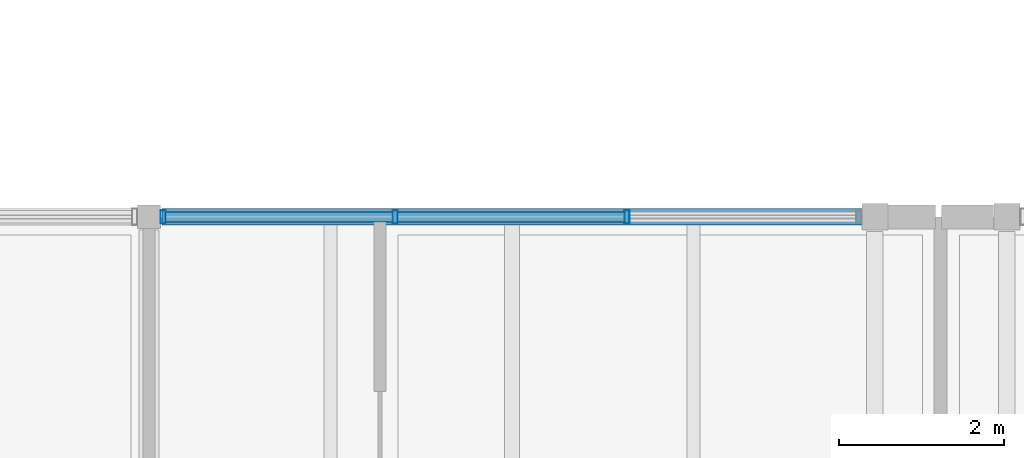
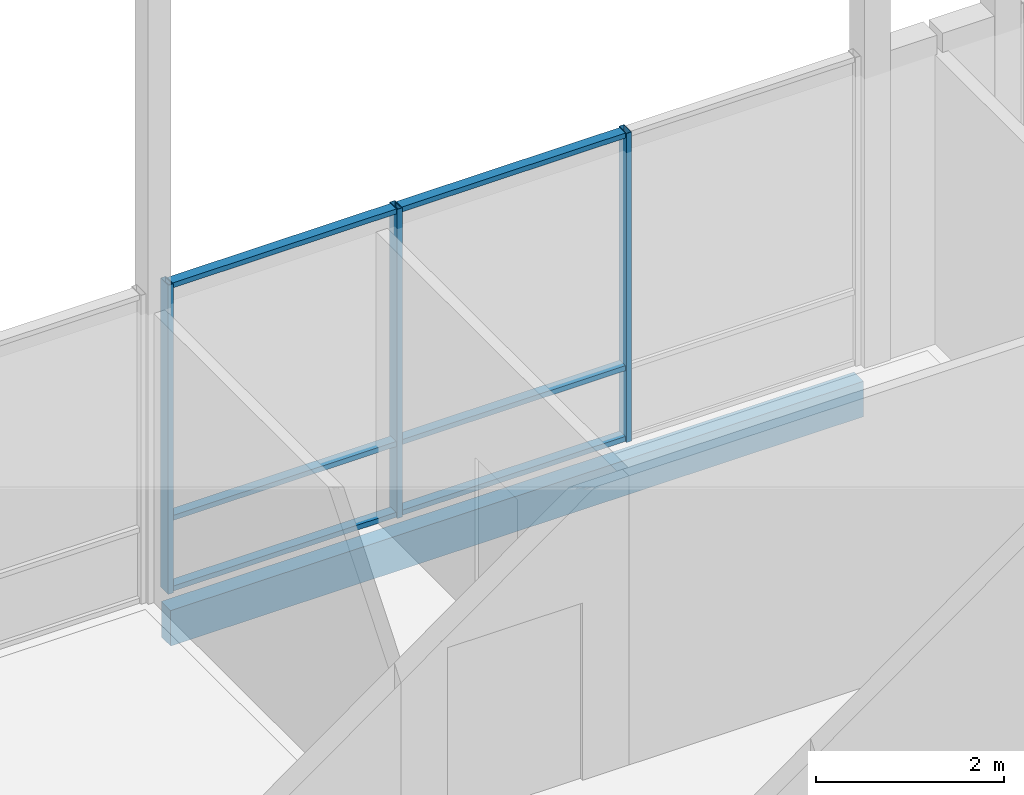
# One storey, part 10 of 57: 9 members, 1 beam, 1 element without a shape of its own.
"""IFC4 building model written with IfcOpenShell, lengths in metres."""

from ifc_helpers import new_model, si_unit, direction, frame, origin, origin_2d, place, context, subcontext, project, spatial, rectangle, hollow_rectangle, extrude, material, material_profile, profile_set, type_object, element, aggregate, save


model = new_model("IFC4")

# Units and contexts
model_context = context("Model", 3, precision=1e-05, world=origin(), true_north=direction((0.0, 1.0)))
body_context = subcontext(model_context, "Body", "Model", "MODEL_VIEW")
ifc_project = project(units=[si_unit("LENGTHUNIT", "METRE"), si_unit("AREAUNIT", "SQUARE_METRE"), si_unit("VOLUMEUNIT", "CUBIC_METRE"), si_unit("PLANEANGLEUNIT", "RADIAN"), si_unit("MASSUNIT", "GRAM", prefix="KILO")], contexts=[model_context])

# Site, building, storey
site_placement = place(None, origin())
site = spatial("IfcSite", under=ifc_project, at=site_placement, CompositionType="ELEMENT")
building_placement = place(site_placement, origin())
building = spatial("IfcBuilding", under=site, at=building_placement, Name="Hawrajan Terrace Health Centre", CompositionType="ELEMENT")
storey_placement = place(building_placement, frame((0.0, 0.0, 13.199951171875)))
storey = spatial("IfcBuildingStorey", under=building, at=storey_placement, Name="L03", CompositionType="ELEMENT", Elevation=13.199951171875)

# Curtain wall, members
ifc_material_1 = material(Name="Anodized bronze aluminium and low-E solar glazing", Category="aluminium")
curtain_wall_type = type_object("IfcCurtainWallType", Name="CW_Diagnostic_SeriesM2", PredefinedType="USERDEFINED", material=ifc_material_1)
curtain_wall_placement = place(storey_placement, origin())
curtain_wall = element("IfcCurtainWall", 1, at=curtain_wall_placement, inside=storey, type_object=curtain_wall_type, Name="Curtain wall CW-L03-168", ObjectType="UNITISED CURTAIN WALL", PredefinedType="USERDEFINED")
ifc_material_2 = material(Name="Anodized bronze aluminium 6063-T6", Category="aluminium")
ifc_material_profile_1 = material_profile(ifc_material_2, hollow_rectangle(XDim=0.06494140625, YDim=0.159912109375, WallThickness=0.00390625, at=origin_2d()), Name="CW MUL 65x160")
ifc_profile_set_1 = profile_set([ifc_material_profile_1], Name="Anodized bronze aluminium 6063-T6")
member_type_1 = type_object("IfcMemberType", Name="CWMullion_65x160", PredefinedType="MULLION", material=ifc_profile_set_1)
member_1_placement = place(storey_placement, frame((62.37255859375, 18.60009765625, -0.0048828125), z_axis=(0.0, 0.0, 1.0), x_axis=(1.0, 0.0, 0.0)))
member_1 = element("IfcMember", 2, at=member_1_placement, type_object=member_type_1, Name="Mullion CW-L03-168-M1", PredefinedType="MULLION", context=body_context, shape_type="SweptSolid", body=[
    extrude(hollow_rectangle(XDim=0.06494140625, YDim=0.159912109375, WallThickness=0.00390625, at=origin_2d()), origin(), (0.0, 0.0, 1.0), 4.010009765625),
])
member_2_placement = place(storey_placement, frame((65.18408203125, 18.60009765625, -0.0048828125), z_axis=(0.0, 0.0, 1.0), x_axis=(1.0, 0.0, 0.0)))
member_2 = element("IfcMember", 3, at=member_2_placement, type_object=member_type_1, Name="Mullion CW-L03-168-M2", PredefinedType="MULLION", context=body_context, shape_type="SweptSolid", body=[
    extrude(hollow_rectangle(XDim=0.06494140625, YDim=0.159912109375, WallThickness=0.00390625, at=origin_2d()), origin(), (0.0, 0.0, 1.0), 4.010009765625),
])
member_3_placement = place(storey_placement, frame((67.995849609375, 18.60009765625, -0.0048828125), z_axis=(0.0, 0.0, 1.0), x_axis=(1.0, 0.0, 0.0)))
member_3 = element("IfcMember", 4, at=member_3_placement, type_object=member_type_1, Name="Mullion CW-L03-168-M3", PredefinedType="MULLION", context=body_context, shape_type="SweptSolid", body=[
    extrude(hollow_rectangle(XDim=0.06494140625, YDim=0.159912109375, WallThickness=0.00390625, at=origin_2d()), origin(), (0.0, 0.0, 1.0), 4.010009765625),
])
ifc_material_profile_2 = material_profile(ifc_material_2, hollow_rectangle(XDim=0.06494140625, YDim=0.1201171875, WallThickness=0.00341796875, at=origin_2d()), Name="CW TRN 65x120")
ifc_profile_set_2 = profile_set([ifc_material_profile_2], Name="Anodized bronze aluminium 6063-T6")
member_type_2 = type_object("IfcMemberType", Name="CWTransom_65x120", PredefinedType="USERDEFINED", material=ifc_profile_set_2)
member_4_placement = place(storey_placement, frame((62.39892578125, 18.60009765625, 0.032470703125), z_axis=(1.0, 0.0, 0.0), x_axis=(0.0, 0.0, 1.0)))
member_4 = element("IfcMember", 5, at=member_4_placement, type_object=member_type_2, Name="Transom CW-L03-168-T1-1", ObjectType="TRANSOM", PredefinedType="USERDEFINED", context=body_context, shape_type="SweptSolid", body=[
    extrude(hollow_rectangle(XDim=0.06494140625, YDim=0.1201171875, WallThickness=0.00341796875, at=origin_2d()), origin(), (0.0, 0.0, 1.0), 2.7587890625),
])
member_5_placement = place(storey_placement, frame((62.39892578125, 18.60009765625, 0.949951171875), z_axis=(1.0, 0.0, 0.0), x_axis=(0.0, 0.0, 1.0)))
member_5 = element("IfcMember", 6, at=member_5_placement, type_object=member_type_2, Name="Transom CW-L03-168-T1-2", ObjectType="TRANSOM", PredefinedType="USERDEFINED", context=body_context, shape_type="SweptSolid", body=[
    extrude(hollow_rectangle(XDim=0.06494140625, YDim=0.1201171875, WallThickness=0.00341796875, at=origin_2d()), origin(), (0.0, 0.0, 1.0), 2.7587890625),
])
member_6_placement = place(storey_placement, frame((62.39892578125, 18.60009765625, 3.967529296875), z_axis=(1.0, 0.0, 0.0), x_axis=(0.0, 0.0, 1.0)))
member_6 = element("IfcMember", 7, at=member_6_placement, type_object=member_type_2, Name="Transom CW-L03-168-T1-3", ObjectType="TRANSOM", PredefinedType="USERDEFINED", context=body_context, shape_type="SweptSolid", body=[
    extrude(hollow_rectangle(XDim=0.06494140625, YDim=0.1201171875, WallThickness=0.00341796875, at=origin_2d()), origin(), (0.0, 0.0, 1.0), 2.7587890625),
])
member_7_placement = place(storey_placement, frame((65.210693359375, 18.60009765625, 0.032470703125), z_axis=(1.0, 0.0, 0.0), x_axis=(0.0, 0.0, 1.0)))
member_7 = element("IfcMember", 8, at=member_7_placement, type_object=member_type_2, Name="Transom CW-L03-168-T2-1", ObjectType="TRANSOM", PredefinedType="USERDEFINED", context=body_context, shape_type="SweptSolid", body=[
    extrude(hollow_rectangle(XDim=0.06494140625, YDim=0.1201171875, WallThickness=0.00341796875, at=origin_2d()), origin(), (0.0, 0.0, 1.0), 2.758544921875),
])
member_8_placement = place(storey_placement, frame((65.210693359375, 18.60009765625, 0.949951171875), z_axis=(1.0, 0.0, 0.0), x_axis=(0.0, 0.0, 1.0)))
member_8 = element("IfcMember", 9, at=member_8_placement, type_object=member_type_2, Name="Transom CW-L03-168-T2-2", ObjectType="TRANSOM", PredefinedType="USERDEFINED", context=body_context, shape_type="SweptSolid", body=[
    extrude(hollow_rectangle(XDim=0.06494140625, YDim=0.1201171875, WallThickness=0.00341796875, at=origin_2d()), origin(), (0.0, 0.0, 1.0), 2.758544921875),
])
member_9_placement = place(storey_placement, frame((65.210693359375, 18.60009765625, 3.967529296875), z_axis=(1.0, 0.0, 0.0), x_axis=(0.0, 0.0, 1.0)))
member_9 = element("IfcMember", 10, at=member_9_placement, type_object=member_type_2, Name="Transom CW-L03-168-T2-3", ObjectType="TRANSOM", PredefinedType="USERDEFINED", context=body_context, shape_type="SweptSolid", body=[
    extrude(hollow_rectangle(XDim=0.06494140625, YDim=0.1201171875, WallThickness=0.00341796875, at=origin_2d()), origin(), (0.0, 0.0, 1.0), 2.758544921875),
])
aggregate(curtain_wall, [member_1, member_2, member_3, member_4, member_5, member_6, member_7, member_8, member_9])

# Beam
ifc_material_3 = material(Name="Glulam GL32h", Category="wood")
ifc_material_profile_3 = material_profile(ifc_material_3, rectangle(XDim=0.199951171875, YDim=0.4599609375, at=origin_2d()), Name="GL SP 200x460")
ifc_profile_set_3 = profile_set([ifc_material_profile_3], Name="Glulam GL32h")
beam_type = type_object("IfcBeamType", Name="GlulamSpandrel_200x460", PredefinedType="SPANDREL", material=ifc_profile_set_3)
beam_placement = place(storey_placement, frame((62.360107421875, 18.60009765625, -0.43994140625), z_axis=(1.0, 0.0, 0.0), x_axis=(0.0, 1.0, 0.0)))
element("IfcBeam", 11, at=beam_placement, inside=storey, type_object=beam_type, Name="Beam BM-X-L03-W-09-Y3", PredefinedType="SPANDREL", context=body_context, shape_type="SweptSolid", body=[
    extrude(rectangle(XDim=0.199951171875, YDim=0.4599609375, at=origin_2d()), origin(), (0.0, 0.0, 1.0), 8.5),
])

save(model, "model.ifc")
